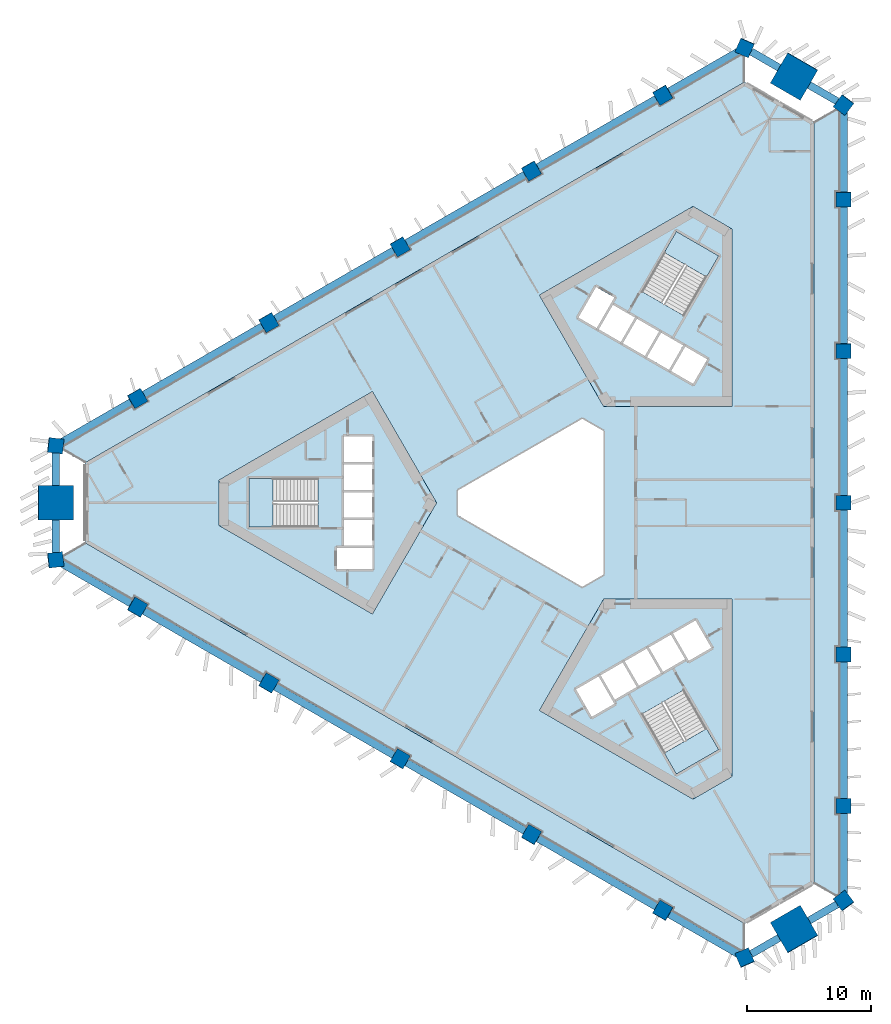
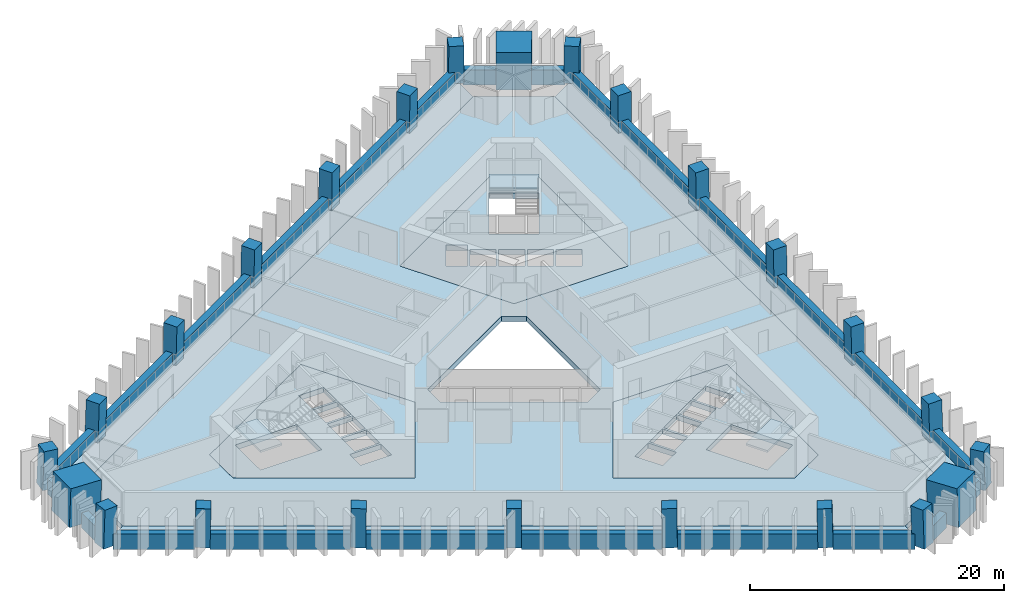
# One storey, part 1 of 10: 24 beams, 24 columns, 10 slabs, 3 elements without a shape of their own.
"""IFC4 building model written with IfcOpenShell, lengths in metres."""

from ifc_helpers import new_model, si_unit, direction, frame, origin, origin_2d, place, context, subcontext, project, spatial, polyline, rectangle, outline, extrude, material, layer, layer_set, material_profile, profile_set, type_object, element, aggregate, save


model = new_model("IFC4")

# Units and contexts
model_context = context("Model", 3, precision=1e-05, world=origin(), true_north=direction((0.0, 1.0)))
body_context = subcontext(model_context, "Body", "Model", "MODEL_VIEW")
ifc_project = project(units=[si_unit("LENGTHUNIT", "METRE"), si_unit("AREAUNIT", "SQUARE_METRE"), si_unit("VOLUMEUNIT", "CUBIC_METRE"), si_unit("PLANEANGLEUNIT", "RADIAN"), si_unit("MASSUNIT", "GRAM", prefix="KILO")], contexts=[model_context])

# Site, building, storey
site_placement = place(None, origin())
site = spatial("IfcSite", under=ifc_project, at=site_placement, CompositionType="ELEMENT")
building_placement = place(site_placement, origin())
building = spatial("IfcBuilding", under=site, at=building_placement, Name="Jabali Bay Hotel Tower and Convention Centre", CompositionType="ELEMENT")
storey_placement = place(building_placement, frame((0.0, 0.0, 37.39990234375)))
storey = spatial("IfcBuildingStorey", under=building, at=storey_placement, Name="L07", CompositionType="ELEMENT", Elevation=37.39990234375)

# Columns
ifc_material_1 = material(Name="Concrete C60", Category="concrete")
ifc_material_profile_1 = material_profile(ifc_material_1, rectangle(XDim=1.199951171875, YDim=1.199951171875, at=origin_2d()), Name="Frame column 1200")
ifc_profile_set_1 = profile_set([ifc_material_profile_1], Name="Concrete C60")
column_type_1 = type_object("IfcColumnType", Name="Frame column 1200", PredefinedType="COLUMN", material=ifc_profile_set_1)
column_1_placement = place(storey_placement, frame((84.28662109375, 112.959716796875, 0.0), z_axis=(-0.008375902173, -0.028161497857, 0.999568293966), x_axis=(0.865852192858, 0.499844650908, 0.02133787902)))
element("IfcColumn", 1, at=column_1_placement, inside=storey, type_object=column_type_1, Name="FC1 F1.1 L07", PredefinedType="COLUMN", context=body_context, shape_type="SweptSolid", body=[
    extrude(rectangle(XDim=1.199951171875, YDim=1.199951171875, at=origin_2d()), origin(), (0.0, 0.0, 1.0), 3.701904296875),
])
column_2_placement = place(storey_placement, frame((73.668212890625, 106.8291015625, 0.0), z_axis=(0.000857522362, -0.02282328747, 0.99973914708), x_axis=(0.866060219166, 0.499825864794, 0.010667786116)))
element("IfcColumn", 2, at=column_2_placement, inside=storey, type_object=column_type_1, Name="FC1 F1.2 L07", PredefinedType="COLUMN", context=body_context, shape_type="SweptSolid", body=[
    extrude(rectangle(XDim=1.199951171875, YDim=1.199951171875, at=origin_2d()), origin(), (0.0, 0.0, 1.0), 3.701171875),
])
column_3_placement = place(storey_placement, frame((63.0498046875, 100.698486328125, 0.0), z_axis=(0.010092954999, -0.017481261926, 0.999796248113), x_axis=(-0.499897099477, 0.865849541015, 0.020185694417)))
element("IfcColumn", 3, at=column_3_placement, inside=storey, type_object=column_type_1, Name="FC1 F1.3 L07", PredefinedType="COLUMN", context=body_context, shape_type="SweptSolid", body=[
    extrude(rectangle(XDim=1.199951171875, YDim=1.199951171875, at=origin_2d()), origin(), (0.0, 0.0, 1.0), 3.700927734375),
])
column_4_placement = place(storey_placement, frame((52.43115234375, 94.56787109375, 0.0), z_axis=(0.019327242333, -0.012137244332, 0.999739538582), x_axis=(-0.500205640682, 0.865671471182, 0.020179717829)))
element("IfcColumn", 4, at=column_4_placement, inside=storey, type_object=column_type_1, Name="FC1 F1.4 L07", PredefinedType="COLUMN", context=body_context, shape_type="SweptSolid", body=[
    extrude(rectangle(XDim=1.199951171875, YDim=1.199951171875, at=origin_2d()), origin(), (0.0, 0.0, 1.0), 3.701171875),
])
for number, where, z_axis, x_axis, name in (
    (5, (41.812744140625, 88.4375, 0.0), (0.028557219273, -0.006859008786, 0.999568626571), (-0.498515256127, 0.866645794777, 0.020189249707), "FC1 F1.5 L07"),
    (6, (41.812744140625, 71.5625, 0.0), (0.028557219273, 0.006859008786, 0.999568626571), (-0.86641042505, 0.498876758723, 0.021329673472), "FC1 F2.1 L07"),
):
    element("IfcColumn", number, at=place(storey_placement, frame(where, z_axis=z_axis, x_axis=x_axis)), inside=storey, type_object=column_type_1, Name=name, PredefinedType="COLUMN", context=body_context, shape_type="SweptSolid", body=[
        extrude(rectangle(XDim=1.199951171875, YDim=1.199951171875, at=origin_2d()), origin(), (0.0, 0.0, 1.0), 3.701904296875),
    ])
column_5_placement = place(storey_placement, frame((52.43115234375, 65.43212890625, 0.0), z_axis=(0.019327242333, 0.012137244332, 0.999739538582), x_axis=(-0.865690923328, 0.500465374709, 0.010659924227)))
element("IfcColumn", 7, at=column_5_placement, inside=storey, type_object=column_type_1, Name="FC1 F2.2 L07", PredefinedType="COLUMN", context=body_context, shape_type="SweptSolid", body=[
    extrude(rectangle(XDim=1.199951171875, YDim=1.199951171875, at=origin_2d()), origin(), (0.0, 0.0, 1.0), 3.701171875),
])
column_6_placement = place(storey_placement, frame((63.0498046875, 59.301513671875, 0.0), z_axis=(0.010092954999, 0.017481261926, 0.999796248113), x_axis=(-0.866025993948, 0.499998977805, 1.48321e-07)))
element("IfcColumn", 8, at=column_6_placement, inside=storey, type_object=column_type_1, Name="FC1 F2.3 L07", PredefinedType="COLUMN", context=body_context, shape_type="SweptSolid", body=[
    extrude(rectangle(XDim=1.199951171875, YDim=1.199951171875, at=origin_2d()), origin(), (0.0, 0.0, 1.0), 3.700927734375),
])
column_7_placement = place(storey_placement, frame((73.668212890625, 53.1708984375, 0.0), z_axis=(0.000857522362, 0.02282328747, 0.99973914708), x_axis=(-0.499938957707, -0.865825156964, 0.020194953204)))
element("IfcColumn", 9, at=column_7_placement, inside=storey, type_object=column_type_1, Name="FC1 F2.4 L07", PredefinedType="COLUMN", context=body_context, shape_type="SweptSolid", body=[
    extrude(rectangle(XDim=1.199951171875, YDim=1.199951171875, at=origin_2d()), origin(), (0.0, 0.0, 1.0), 3.701171875),
])
for number, where, z_axis, x_axis, name in (
    (10, (84.28662109375, 47.040283203125, 0.0), (-0.008375902173, 0.028161497857, 0.999568293966), (-0.50022977159, -0.865657123229, 0.020197044776), "FC1 F2.5 L07"),
    (11, (98.900634765625, 55.477783203125, 0.0), (-0.020181329236, 0.021302514194, 0.999569365697), (0.000228295571, -0.999772858975, 0.021311460273), "FC1 F0.1 L07"),
):
    element("IfcColumn", number, at=place(storey_placement, frame(where, z_axis=z_axis, x_axis=x_axis)), inside=storey, type_object=column_type_1, Name=name, PredefinedType="COLUMN", context=body_context, shape_type="SweptSolid", body=[
        extrude(rectangle(XDim=1.199951171875, YDim=1.199951171875, at=origin_2d()), origin(), (0.0, 0.0, 1.0), 3.701904296875),
    ])
column_8_placement = place(storey_placement, frame((98.900634765625, 67.73876953125, 0.0), z_axis=(-0.020184757346, 0.010686048007, 0.999739157955), x_axis=(-0.001023362508, -0.999942576291, 0.010667560599)))
element("IfcColumn", 12, at=column_8_placement, inside=storey, type_object=column_type_1, Name="FC1 F0.2 L07", PredefinedType="COLUMN", context=body_context, shape_type="SweptSolid", body=[
    extrude(rectangle(XDim=1.199951171875, YDim=1.199951171875, at=origin_2d()), origin(), (0.0, 0.0, 1.0), 3.701171875),
])
column_9_placement = place(storey_placement, frame((98.900634765625, 80.0, 0.0), z_axis=(-0.02018590991, 0.0, 0.999796243762), x_axis=(0.0, -1.0, 0.0)))
element("IfcColumn", 13, at=column_9_placement, inside=storey, type_object=column_type_1, Name="FC1 F0.3 L07", PredefinedType="COLUMN", context=body_context, shape_type="SweptSolid", body=[
    extrude(rectangle(XDim=1.199951171875, YDim=1.199951171875, at=origin_2d()), origin(), (0.0, 0.0, 1.0), 3.700927734375),
])
column_10_placement = place(storey_placement, frame((98.900634765625, 92.26123046875, 0.0), z_axis=(-0.020184757346, -0.010686048007, 0.999739157955), x_axis=(0.99979574329, 0.00080777345, 0.020194533963)))
element("IfcColumn", 14, at=column_10_placement, inside=storey, type_object=column_type_1, Name="FC1 F0.4 L07", PredefinedType="COLUMN", context=body_context, shape_type="SweptSolid", body=[
    extrude(rectangle(XDim=1.199951171875, YDim=1.199951171875, at=origin_2d()), origin(), (0.0, 0.0, 1.0), 3.701171875),
])
column_11_placement = place(storey_placement, frame((98.900634765625, 104.522216796875, 0.0), z_axis=(-0.020181329236, -0.021302514194, 0.999569365697), x_axis=(0.999796310171, -0.000658290855, 0.020171881959)))
element("IfcColumn", 15, at=column_11_placement, inside=storey, type_object=column_type_1, Name="FC1 F0.5 L07", PredefinedType="COLUMN", context=body_context, shape_type="SweptSolid", body=[
    extrude(rectangle(XDim=1.199951171875, YDim=1.199951171875, at=origin_2d()), origin(), (0.0, 0.0, 1.0), 3.701904296875),
])
for number, where, z_axis, x_axis, name in (
    (16, (98.900634765625, 47.830322265625, 0.0), (-0.020177450733, 0.028947388469, 0.999377265692), (-0.802176527657, -0.597085932616, 0.001098885389), "FC1 V0 L07"),
    (17, (98.900634765625, 112.169677734375, 0.0), (-0.020177450733, -0.028947388469, 0.999377265692), (0.596745916583, 0.801654812106, 0.035268587555), "FC1 V1 L07"),
    (18, (90.90966796875, 116.783447265625, 0.0), (-0.01503415113, -0.031980540781, 0.999375414602), (0.917789733702, -0.397065225845, 0.001100516281), "FC1 V2 L07"),
    (19, (35.18994140625, 84.613525390625, 0.0), (0.035145708895, -0.002967273734, 0.999377793646), (-0.992731726539, 0.115069110582, 0.035253636858), "FC1 V3 L07"),
    (20, (35.18994140625, 75.386474609375, 0.0), (0.035145708895, 0.002967273734, 0.999377793646), (-0.115102121041, 0.99335305661, 0.001098478686), "FC1 V4 L07"),
    (21, (90.90966796875, 43.216552734375, 0.0), (-0.01503415113, 0.031980540781, 0.999375414602), (0.396782029597, -0.917233040964, 0.035320950621), "FC1 V5 L07"),
):
    element("IfcColumn", number, at=place(storey_placement, frame(where, z_axis=z_axis, x_axis=x_axis)), inside=storey, type_object=column_type_1, Name=name, PredefinedType="COLUMN", context=body_context, shape_type="SweptSolid", body=[
        extrude(rectangle(XDim=1.199951171875, YDim=1.199951171875, at=origin_2d()), origin(), (0.0, 0.0, 1.0), 3.702392578125),
    ])
ifc_material_2 = material(Name="Concrete C70", Category="concrete")
ifc_material_profile_2 = material_profile(ifc_material_2, rectangle(XDim=2.800048828125, YDim=2.800048828125, at=origin_2d()), Name="Mega column 2800")
ifc_profile_set_2 = profile_set([ifc_material_profile_2], Name="Concrete C70")
column_type_2 = type_object("IfcColumnType", Name="Mega column 2800", PredefinedType="COLUMN", material=ifc_profile_set_2)
for number, where, z_axis, x_axis, name in (
    (22, (94.905029296875, 114.4765625, 0.0), (-0.017605877014, -0.030464101799, 0.99938079409), (0.86581098392, -0.500371202332, 2.456e-09), "MC1 M1 L07"),
    (23, (35.18994140625, 80.0, 0.0), (0.03514586362, 0.0, 0.999382193293), (0.0, 1.0, 0.0), "MC1 M0 L07"),
    (24, (94.905029296875, 45.5234375, 0.0), (-0.017605877014, 0.030464101799, 0.99938079409), (0.500061369451, -0.865274868686, 0.035185627803), "MC1 M2 L07"),
):
    element("IfcColumn", number, at=place(storey_placement, frame(where, z_axis=z_axis, x_axis=x_axis)), inside=storey, type_object=column_type_2, Name=name, PredefinedType="COLUMN", context=body_context, shape_type="SweptSolid", body=[
        extrude(rectangle(XDim=2.800048828125, YDim=2.800048828125, at=origin_2d()), origin(), (0.0, 0.0, 1.0), 3.702392578125),
    ])

# Beams
ifc_material_profile_3 = material_profile(ifc_material_1, rectangle(XDim=0.60009765625, YDim=1.449951171875, at=origin_2d()), Name="Spandrel 600x1450")
ifc_profile_set_3 = profile_set([ifc_material_profile_3], Name="Concrete C60")
beam_type = type_object("IfcBeamType", Name="Spandrel 600x1450", PredefinedType="SPANDREL", material=ifc_profile_set_3)
beam_1_placement = place(storey_placement, frame((93.68603515625, 115.165283203125, 0.375), z_axis=(-0.866037743636, 0.499978626141, 0.0), x_axis=(-0.499978626141, -0.866037743636, 0.0)))
element("IfcBeam", 25, at=beam_1_placement, inside=storey, type_object=beam_type, Name="Spandrel M1-V2 L07", PredefinedType="SPANDREL", context=body_context, shape_type="SweptSolid", body=[
    extrude(rectangle(XDim=0.60009765625, YDim=1.449951171875, at=origin_2d()), origin(), (0.0, 0.0, 1.0), 2.6123046875),
])
beam_2_placement = place(storey_placement, frame((90.38427734375, 116.471435546875, 0.375), z_axis=(-0.866022196962, -0.500005554337, 0.0), x_axis=(0.500005554337, -0.866022196962, 0.0)))
element("IfcBeam", 26, at=beam_2_placement, inside=storey, type_object=beam_type, Name="Spandrel V2-F1.1 L07", PredefinedType="SPANDREL", context=body_context, shape_type="SweptSolid", body=[
    extrude(rectangle(XDim=0.60009765625, YDim=1.449951171875, at=origin_2d()), origin(), (0.0, 0.0, 1.0), 6.44482421875),
])
for number, where, z_axis, x_axis, name in (
    (27, (83.763916015625, 112.649169921875, 0.375), (-0.866029319926, -0.499993216983, 0.0), (0.499993216983, -0.866029319926, 0.0), "Spandrel F1.1-F1.2 L07"),
    (28, (73.14892578125, 106.5205078125, 0.375), (-0.866029319926, -0.499993216983, 0.0), (0.499993216983, -0.866029319926, 0.0), "Spandrel F1.2-F1.3 L07"),
    (29, (62.533935546875, 100.39208984375, 0.375), (-0.866019759199, -0.500009776581, 0.0), (0.500009776581, -0.866019759199, 0.0), "Spandrel F1.3-F1.4 L07"),
    (30, (51.9189453125, 94.263427734375, 0.375), (-0.866029319926, -0.499993216983, 0.0), (0.499993216983, -0.866029319926, 0.0), "Spandrel F1.4-F1.5 L07"),
):
    element("IfcBeam", number, at=place(storey_placement, frame(where, z_axis=z_axis, x_axis=x_axis)), inside=storey, type_object=beam_type, Name=name, PredefinedType="SPANDREL", context=body_context, shape_type="SweptSolid", body=[
        extrude(rectangle(XDim=0.60009765625, YDim=1.449951171875, at=origin_2d()), origin(), (0.0, 0.0, 1.0), 11.057373046875),
    ])
beam_3_placement = place(storey_placement, frame((41.303955078125, 88.134765625, 0.375), z_axis=(-0.86603860035, -0.499977142182, 0.0), x_axis=(0.499977142182, -0.86603860035, 0.0)))
element("IfcBeam", 31, at=beam_3_placement, inside=storey, type_object=beam_type, Name="Spandrel F1.5-V3 L07", PredefinedType="SPANDREL", context=body_context, shape_type="SweptSolid", body=[
    extrude(rectangle(XDim=0.60009765625, YDim=1.449951171875, at=origin_2d()), origin(), (0.0, 0.0, 1.0), 6.444580078125),
])
for number, where, z_axis, x_axis, name in (
    (32, (35.203125, 84.012451171875, 0.375), (0.0, -1.0, 0.0), (1.0, 0.0, 0.0), "Spandrel V3-M0 L07"),
    (33, (35.203125, 78.60009765625, 0.375), (0.0, -1.0, 0.0), (1.0, 0.0, 0.0), "Spandrel M0-V4 L07"),
):
    element("IfcBeam", number, at=place(storey_placement, frame(where, z_axis=z_axis, x_axis=x_axis)), inside=storey, type_object=beam_type, Name=name, PredefinedType="SPANDREL", context=body_context, shape_type="SweptSolid", body=[
        extrude(rectangle(XDim=0.60009765625, YDim=1.449951171875, at=origin_2d()), origin(), (0.0, 0.0, 1.0), 2.612548828125),
    ])
beam_4_placement = place(storey_placement, frame((35.72265625, 75.08740234375, 0.375), z_axis=(0.86603860035, -0.499977142182, 0.0), x_axis=(0.499977142182, 0.86603860035, 0.0)))
element("IfcBeam", 34, at=beam_4_placement, inside=storey, type_object=beam_type, Name="Spandrel V4-F2.1 L07", PredefinedType="SPANDREL", context=body_context, shape_type="SweptSolid", body=[
    extrude(rectangle(XDim=0.60009765625, YDim=1.449951171875, at=origin_2d()), origin(), (0.0, 0.0, 1.0), 6.444580078125),
])
for number, where, z_axis, x_axis, name in (
    (35, (42.343017578125, 71.26513671875, 0.375), (0.866029319926, -0.499993216983, 0.0), (0.499993216983, 0.866029319926, 0.0), "Spandrel F2.1-F2.2 L07"),
    (36, (52.9580078125, 65.13671875, 0.375), (0.866019759199, -0.500009776581, 0.0), (0.500009776581, 0.866019759199, 0.0), "Spandrel F2.2-F2.3 L07"),
    (37, (63.572998046875, 59.008056640625, 0.375), (0.866029319926, -0.499993216983, 0.0), (0.499993216983, 0.866029319926, 0.0), "Spandrel F2.3-F2.4 L07"),
    (38, (74.18798828125, 52.87939453125, 0.375), (0.866029319926, -0.499993216983, 0.0), (0.499993216983, 0.866029319926, 0.0), "Spandrel F2.4-F2.5 L07"),
):
    element("IfcBeam", number, at=place(storey_placement, frame(where, z_axis=z_axis, x_axis=x_axis)), inside=storey, type_object=beam_type, Name=name, PredefinedType="SPANDREL", context=body_context, shape_type="SweptSolid", body=[
        extrude(rectangle(XDim=0.60009765625, YDim=1.449951171875, at=origin_2d()), origin(), (0.0, 0.0, 1.0), 11.057373046875),
    ])
beam_5_placement = place(storey_placement, frame((84.802978515625, 46.7509765625, 0.375), z_axis=(0.866022196962, -0.500005554337, 0.0), x_axis=(0.500005554337, 0.866022196962, 0.0)))
element("IfcBeam", 39, at=beam_5_placement, inside=storey, type_object=beam_type, Name="Spandrel F2.5-V5 L07", PredefinedType="SPANDREL", context=body_context, shape_type="SweptSolid", body=[
    extrude(rectangle(XDim=0.60009765625, YDim=1.449951171875, at=origin_2d()), origin(), (0.0, 0.0, 1.0), 6.44482421875),
])
beam_6_placement = place(storey_placement, frame((91.423583984375, 43.528564453125, 0.375), z_axis=(0.866037743636, 0.499978626141, 0.0), x_axis=(-0.499978626141, 0.866037743636, 0.0)))
element("IfcBeam", 40, at=beam_6_placement, inside=storey, type_object=beam_type, Name="Spandrel V5-M2 L07", PredefinedType="SPANDREL", context=body_context, shape_type="SweptSolid", body=[
    extrude(rectangle(XDim=0.60009765625, YDim=1.449951171875, at=origin_2d()), origin(), (0.0, 0.0, 1.0), 2.6123046875),
])
beam_7_placement = place(storey_placement, frame((96.11083984375, 46.23486328125, 0.375), z_axis=(0.86606110229, 0.499938163277, 0.0), x_axis=(-0.499938163277, 0.86606110229, 0.0)))
element("IfcBeam", 41, at=beam_7_placement, inside=storey, type_object=beam_type, Name="Spandrel M2-V0 L07", PredefinedType="SPANDREL", context=body_context, shape_type="SweptSolid", body=[
    extrude(rectangle(XDim=0.60009765625, YDim=1.449951171875, at=origin_2d()), origin(), (0.0, 0.0, 1.0), 2.612548828125),
])
beam_8_placement = place(storey_placement, frame((98.89306640625, 48.441162109375, 0.375), z_axis=(0.0, 1.0, 0.0), x_axis=(-1.0, 0.0, 0.0)))
element("IfcBeam", 42, at=beam_8_placement, inside=storey, type_object=beam_type, Name="Spandrel V0-F0.1 L07", PredefinedType="SPANDREL", context=body_context, shape_type="SweptSolid", body=[
    extrude(rectangle(XDim=0.60009765625, YDim=1.449951171875, at=origin_2d()), origin(), (0.0, 0.0, 1.0), 6.444580078125),
])
for number, where, z_axis, x_axis, name in (
    (43, (98.89306640625, 56.085693359375, 0.375), (0.0, 1.0, 0.0), (-1.0, 0.0, 0.0), "Spandrel F0.1-F0.2 L07"),
    (44, (98.89306640625, 68.3427734375, 0.375), (0.0, 1.0, 0.0), (-1.0, 0.0, 0.0), "Spandrel F0.2-F0.3 L07"),
    (45, (98.89306640625, 80.60009765625, 0.375), (0.0, 1.0, 0.0), (-1.0, 0.0, 0.0), "Spandrel F0.3-F0.4 L07"),
    (46, (98.89306640625, 92.857177734375, 0.375), (0.0, 1.0, 0.0), (-1.0, 0.0, 0.0), "Spandrel F0.4-F0.5 L07"),
):
    element("IfcBeam", number, at=place(storey_placement, frame(where, z_axis=z_axis, x_axis=x_axis)), inside=storey, type_object=beam_type, Name=name, PredefinedType="SPANDREL", context=body_context, shape_type="SweptSolid", body=[
        extrude(rectangle(XDim=0.60009765625, YDim=1.449951171875, at=origin_2d()), origin(), (0.0, 0.0, 1.0), 11.05712890625),
    ])
beam_9_placement = place(storey_placement, frame((98.89306640625, 105.1142578125, 0.375), z_axis=(0.0, 1.0, 0.0), x_axis=(-1.0, 0.0, 0.0)))
element("IfcBeam", 47, at=beam_9_placement, inside=storey, type_object=beam_type, Name="Spandrel F0.5-V1 L07", PredefinedType="SPANDREL", context=body_context, shape_type="SweptSolid", body=[
    extrude(rectangle(XDim=0.60009765625, YDim=1.449951171875, at=origin_2d()), origin(), (0.0, 0.0, 1.0), 6.444580078125),
])
beam_10_placement = place(storey_placement, frame((98.37353515625, 112.458984375, 0.375), z_axis=(-0.86606110229, 0.499938163277, 0.0), x_axis=(-0.499938163277, -0.86606110229, 0.0)))
element("IfcBeam", 48, at=beam_10_placement, inside=storey, type_object=beam_type, Name="Spandrel V1-M1 L07", PredefinedType="SPANDREL", context=body_context, shape_type="SweptSolid", body=[
    extrude(rectangle(XDim=0.60009765625, YDim=1.449951171875, at=origin_2d()), origin(), (0.0, 0.0, 1.0), 2.612548828125),
])

# Slabs
ifc_material_3 = material(Name="Concrete C40", Category="concrete")
ifc_layer_1 = layer(ifc_material_3, 0.5)
ifc_layer_set_1 = layer_set([ifc_layer_1], Name="Concrete C40")
slab_type_1 = type_object("IfcSlabType", Name="Core floor slab 500", PredefinedType="FLOOR", material=ifc_layer_set_1)
slab_1_placement = place(storey_placement, frame((0.0, 0.0, -0.5)))
element("IfcSlab", 49, at=slab_1_placement, inside=storey, type_object=slab_type_1, Name="Core floor slab 1 L07", PredefinedType="FLOOR", context=body_context, shape_type="SweptSolid", body=[
    extrude(outline(polyline([(66.0, 80.0), (60.81005859375, 88.9892578125), (48.39697265625, 81.82275390625), (48.39697265625, 78.17724609375), (60.81005859375, 71.0107421875), (66.0, 80.0)]), holes=[polyline([(60.800048828125, 74.64990234375), (60.800048828125, 76.35009765625), (57.949951171875, 76.35009765625), (57.949951171875, 74.64990234375), (60.800048828125, 74.64990234375)]), polyline([(58.52001953125, 76.550048828125), (60.800048828125, 76.550048828125), (60.800048828125, 78.60009765625), (58.52001953125, 78.60009765625), (58.52001953125, 76.550048828125)]), polyline([(58.52001953125, 78.800048828125), (60.800048828125, 78.800048828125), (60.800048828125, 80.85009765625), (58.52001953125, 80.85009765625), (58.52001953125, 78.800048828125)]), polyline([(56.409912109375, 81.97509765625), (50.820068359375, 81.97509765625), (50.820068359375, 78.02490234375), (56.409912109375, 78.02490234375), (56.409912109375, 81.97509765625)]), polyline([(58.52001953125, 81.050048828125), (60.800048828125, 81.050048828125), (60.800048828125, 83.10009765625), (58.52001953125, 83.10009765625), (58.52001953125, 81.050048828125)]), polyline([(58.52001953125, 83.300048828125), (60.800048828125, 83.300048828125), (60.800048828125, 85.35009765625), (58.52001953125, 85.35009765625), (58.52001953125, 83.300048828125)])]), origin(), (0.0, 0.0, 1.0), 0.5),
])
slab_2_placement = place(storey_placement, frame((0.0, 0.0, -0.5)))
element("IfcSlab", 50, at=slab_2_placement, inside=storey, type_object=slab_type_1, Name="Core floor slab 2 L07", PredefinedType="FLOOR", context=body_context, shape_type="SweptSolid", body=[
    extrude(outline(polyline([(79.5, 87.794189453125), (89.8798828125, 87.794189453125), (89.8798828125, 102.127685546875), (86.72314453125, 103.9501953125), (74.31005859375, 96.78369140625), (79.5, 87.794189453125)]), holes=[polyline([(84.957763671875, 90.6474609375), (86.733154296875, 89.62255859375), (87.873291015625, 91.59716796875), (86.097900390625, 92.6220703125), (84.957763671875, 90.6474609375)]), polyline([(84.1494140625, 93.7470703125), (83.00927734375, 91.7724609375), (84.78466796875, 90.74755859375), (85.924560546875, 92.72216796875), (84.1494140625, 93.7470703125)]), polyline([(82.20068359375, 94.8720703125), (81.060791015625, 92.8974609375), (82.836181640625, 91.87255859375), (83.97607421875, 93.84716796875), (82.20068359375, 94.8720703125)]), polyline([(79.1123046875, 94.0224609375), (80.887451171875, 92.99755859375), (82.027587890625, 94.97216796875), (80.252197265625, 95.9970703125), (79.1123046875, 94.0224609375)]), polyline([(78.891845703125, 97.440673828125), (77.466796875, 94.97265625), (78.93896484375, 94.12255859375), (80.364013671875, 96.5908203125), (78.891845703125, 97.440673828125)]), polyline([(82.584716796875, 97.0869140625), (86.00537109375, 95.11181640625), (88.80029296875, 99.952880859375), (85.379638671875, 101.927978515625), (82.584716796875, 97.0869140625)])]), origin(), (0.0, 0.0, 1.0), 0.5),
])
slab_3_placement = place(storey_placement, frame((0.0, 0.0, -0.5)))
element("IfcSlab", 51, at=slab_3_placement, inside=storey, type_object=slab_type_1, Name="Core floor slab 3 L07", PredefinedType="FLOOR", context=body_context, shape_type="SweptSolid", body=[
    extrude(outline(polyline([(79.5, 72.205810546875), (74.31005859375, 63.21630859375), (86.72314453125, 56.0498046875), (89.8798828125, 57.872314453125), (89.8798828125, 72.205810546875), (79.5, 72.205810546875)]), holes=[polyline([(82.584716796875, 62.9130859375), (85.379638671875, 58.072021484375), (88.80029296875, 60.047119140625), (86.00537109375, 64.88818359375), (82.584716796875, 62.9130859375)]), polyline([(80.365478515625, 63.756591796875), (79.090576171875, 65.96484375), (77.27197265625, 64.9150390625), (78.546875, 62.70654296875), (80.365478515625, 63.756591796875)]), polyline([(82.17919921875, 65.115478515625), (81.0390625, 67.08984375), (79.263671875, 66.06494140625), (80.40380859375, 64.09033203125), (82.17919921875, 65.115478515625)]), polyline([(82.98779296875, 68.21484375), (81.21240234375, 67.18994140625), (82.352294921875, 65.21533203125), (84.127685546875, 66.240478515625), (82.98779296875, 68.21484375)]), polyline([(86.076171875, 67.365478515625), (84.936279296875, 69.33984375), (83.160888671875, 68.31494140625), (84.30078125, 66.34033203125), (86.076171875, 67.365478515625)]), polyline([(88.203125, 68.281494140625), (86.927978515625, 70.489990234375), (85.109375, 69.43994140625), (86.384521484375, 67.231689453125), (88.203125, 68.281494140625)])]), origin(), (0.0, 0.0, 1.0), 0.5),
])
ifc_layer_2 = layer(ifc_material_3, 0.199951171875)
ifc_layer_set_2 = layer_set([ifc_layer_2], Name="Concrete C40")
slab_type_2 = type_object("IfcSlabType", Name="Loggia slab 200", PredefinedType="FLOOR", material=ifc_layer_set_2)
slab_4_placement = place(storey_placement, frame((0.0, 0.0, -0.199951171875)))
element("IfcSlab", 52, at=slab_4_placement, inside=storey, type_object=slab_type_2, Name="Loggia slab east face L07", PredefinedType="FLOOR", context=body_context, shape_type="SweptSolid", body=[
    extrude(outline(polyline([(96.50048828125, 110.7841796875), (98.33447265625, 111.843017578125), (98.6005859375, 111.645263671875), (98.6005859375, 105.122314453125), (98.300537109375, 105.122314453125), (98.300537109375, 103.92236328125), (98.6005859375, 103.92236328125), (98.6005859375, 92.861083984375), (98.300537109375, 92.861083984375), (98.300537109375, 91.6611328125), (98.6005859375, 91.6611328125), (98.6005859375, 80.60009765625), (98.300537109375, 80.60009765625), (98.300537109375, 79.39990234375), (98.6005859375, 79.39990234375), (98.6005859375, 68.3388671875), (98.300537109375, 68.3388671875), (98.300537109375, 67.138916015625), (98.6005859375, 67.138916015625), (98.6005859375, 56.07763671875), (98.300537109375, 56.07763671875), (98.300537109375, 54.877685546875), (98.6005859375, 54.877685546875), (98.6005859375, 48.354736328125), (98.33447265625, 48.156982421875), (96.50048828125, 49.2158203125), (96.50048828125, 110.7841796875)])), origin(), (0.0, 0.0, 1.0), 0.199951171875),
])
slab_5_placement = place(storey_placement, frame((0.0, 0.0, -0.199951171875)))
element("IfcSlab", 53, at=slab_5_placement, inside=storey, type_object=slab_type_2, Name="Loggia slab north-west face L07", PredefinedType="FLOOR", context=body_context, shape_type="SweptSolid", body=[
    extrude(outline(polyline([(37.58984375, 83.22802734375), (35.755859375, 84.286865234375), (35.794189453125, 84.6162109375), (41.443115234375, 87.877685546875), (41.59326171875, 87.61767578125), (42.63232421875, 88.2177734375), (42.482421875, 88.4775390625), (52.0615234375, 94.008056640625), (52.211669921875, 93.748291015625), (53.250732421875, 94.348388671875), (53.100830078125, 94.608154296875), (62.68017578125, 100.138671875), (62.830078125, 99.87890625), (63.869384765625, 100.47900390625), (63.71923828125, 100.73876953125), (73.298583984375, 106.269287109375), (73.448486328125, 106.009521484375), (74.48779296875, 106.609375), (74.337890625, 106.869384765625), (83.9169921875, 112.39990234375), (84.06689453125, 112.14013671875), (85.106201171875, 112.739990234375), (84.956298828125, 112.999755859375), (90.605224609375, 116.26123046875), (90.90966796875, 116.129638671875), (90.90966796875, 114.01220703125), (37.58984375, 83.22802734375)])), origin(), (0.0, 0.0, 1.0), 0.199951171875),
])
slab_6_placement = place(storey_placement, frame((0.0, 0.0, -0.199951171875)))
element("IfcSlab", 54, at=slab_6_placement, inside=storey, type_object=slab_type_2, Name="Loggia slab south-west face L07", PredefinedType="FLOOR", context=body_context, shape_type="SweptSolid", body=[
    extrude(outline(polyline([(90.90966796875, 45.98779296875), (90.90966796875, 43.870361328125), (90.605224609375, 43.73876953125), (84.956298828125, 47.000244140625), (85.106201171875, 47.260009765625), (84.06689453125, 47.85986328125), (83.9169921875, 47.60009765625), (74.337890625, 53.130615234375), (74.48779296875, 53.390625), (73.448486328125, 53.990478515625), (73.298583984375, 53.730712890625), (63.71923828125, 59.26123046875), (63.869384765625, 59.52099609375), (62.830078125, 60.12109375), (62.68017578125, 59.861328125), (53.100830078125, 65.391845703125), (53.250732421875, 65.651611328125), (52.211669921875, 66.251708984375), (52.0615234375, 65.991943359375), (42.482421875, 71.5224609375), (42.63232421875, 71.7822265625), (41.59326171875, 72.38232421875), (41.443115234375, 72.122314453125), (35.794189453125, 75.3837890625), (35.755859375, 75.713134765625), (37.58984375, 76.77197265625), (90.90966796875, 45.98779296875)])), origin(), (0.0, 0.0, 1.0), 0.199951171875),
])
ifc_layer_3 = layer(ifc_material_3, 0.5)
ifc_layer_set_3 = layer_set([ifc_layer_3], Name="Concrete C40")
slab_type_3 = type_object("IfcSlabType", Name="Post-tensioned flat slab 500", PredefinedType="FLOOR", material=ifc_layer_set_3)
slab_7_placement = place(storey_placement, frame((0.0, 0.0, -0.5)))
element("IfcSlab", 55, at=slab_7_placement, inside=storey, type_object=slab_type_3, Name="Floor slab L07", PredefinedType="FLOOR", context=body_context, shape_type="SweptSolid", body=[
    extrude(outline(polyline([(90.90966796875, 114.01220703125), (96.50048828125, 110.7841796875), (96.50048828125, 49.2158203125), (90.90966796875, 45.98779296875), (37.58984375, 76.77197265625), (37.58984375, 83.22802734375), (90.90966796875, 114.01220703125)]), holes=[polyline([(67.73193359375, 79.0), (77.76806640625, 73.205810546875), (79.5, 74.205810546875), (79.5, 85.794189453125), (77.76806640625, 86.794189453125), (67.73193359375, 81.0), (67.73193359375, 79.0)]), polyline([(48.39697265625, 78.17724609375), (60.81005859375, 71.0107421875), (66.0, 80.0), (60.81005859375, 88.9892578125), (48.39697265625, 81.82275390625), (48.39697265625, 78.17724609375)]), polyline([(89.8798828125, 102.127685546875), (86.72314453125, 103.9501953125), (74.31005859375, 96.78369140625), (79.5, 87.794189453125), (89.8798828125, 87.794189453125), (89.8798828125, 102.127685546875)]), polyline([(74.31005859375, 63.21630859375), (86.72314453125, 56.0498046875), (89.8798828125, 57.872314453125), (89.8798828125, 72.205810546875), (79.5, 72.205810546875), (74.31005859375, 63.21630859375)])]), origin(), (0.0, 0.0, 1.0), 0.5),
])

# Stair, slab
stair_type = type_object("IfcStairType", Name="Exit stair 1900", PredefinedType="HALF_TURN_STAIR", material=ifc_material_3)
stair_1_placement = place(storey_placement, origin())
stair_1 = element("IfcStair", 56, at=stair_1_placement, inside=storey, type_object=stair_type, Name="L07 Exit Stair 1", PredefinedType="HALF_TURN_STAIR")
ifc_layer_4 = layer(ifc_material_3, 0.199951171875)
ifc_layer_set_4 = layer_set([ifc_layer_4], Name="Concrete C40")
slab_type_4 = type_object("IfcSlabType", Name="Stair landing 200", PredefinedType="LANDING", material=ifc_layer_set_4)
slab_8_placement = place(storey_placement, frame((0.0, 0.0, 1.650146484375)))
slab_8 = element("IfcSlab", 57, at=slab_8_placement, type_object=slab_type_4, Name="ST1 landing 1", PredefinedType="LANDING", context=body_context, shape_type="SweptSolid", body=[
    extrude(outline(polyline([(52.782958984375, 81.97509765625), (50.820068359375, 81.97509765625), (50.820068359375, 78.02490234375), (52.782958984375, 78.02490234375), (52.782958984375, 81.97509765625)])), origin(), (0.0, 0.0, 1.0), 0.199951171875),
])
aggregate(stair_1, [slab_8])

stair_2_placement = place(storey_placement, origin())
stair_2 = element("IfcStair", 58, at=stair_2_placement, inside=storey, type_object=stair_type, Name="L07 Exit Stair 2", PredefinedType="HALF_TURN_STAIR")
slab_9_placement = place(storey_placement, frame((0.0, 0.0, 1.650146484375)))
slab_9 = element("IfcSlab", 59, at=slab_9_placement, type_object=slab_type_4, Name="ST2 landing 1", PredefinedType="LANDING", context=body_context, shape_type="SweptSolid", body=[
    extrude(outline(polyline([(87.81884765625, 98.2529296875), (88.80029296875, 99.952880859375), (85.379638671875, 101.927978515625), (84.398193359375, 100.22802734375), (87.81884765625, 98.2529296875)])), origin(), (0.0, 0.0, 1.0), 0.199951171875),
])
aggregate(stair_2, [slab_9])

stair_3_placement = place(storey_placement, origin())
stair_3 = element("IfcStair", 60, at=stair_3_placement, inside=storey, type_object=stair_type, Name="L07 Exit Stair 3", PredefinedType="HALF_TURN_STAIR")
slab_10_placement = place(storey_placement, frame((0.0, 0.0, 1.650146484375)))
slab_10 = element("IfcSlab", 61, at=slab_10_placement, type_object=slab_type_4, Name="ST3 landing 1", PredefinedType="LANDING", context=body_context, shape_type="SweptSolid", body=[
    extrude(outline(polyline([(84.398193359375, 59.77197265625), (85.379638671875, 58.072021484375), (88.80029296875, 60.047119140625), (87.81884765625, 61.7470703125), (84.398193359375, 59.77197265625)])), origin(), (0.0, 0.0, 1.0), 0.199951171875),
])
aggregate(stair_3, [slab_10])

save(model, "model.ifc")
